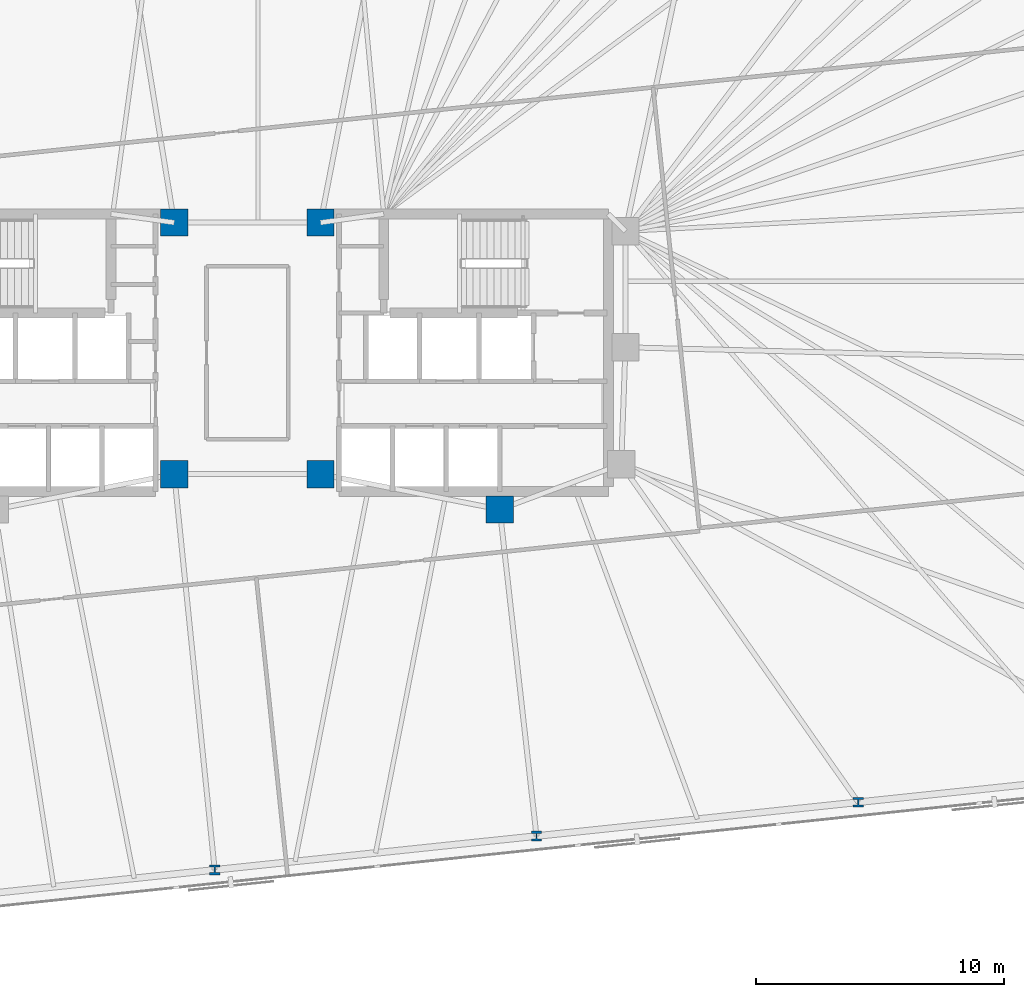
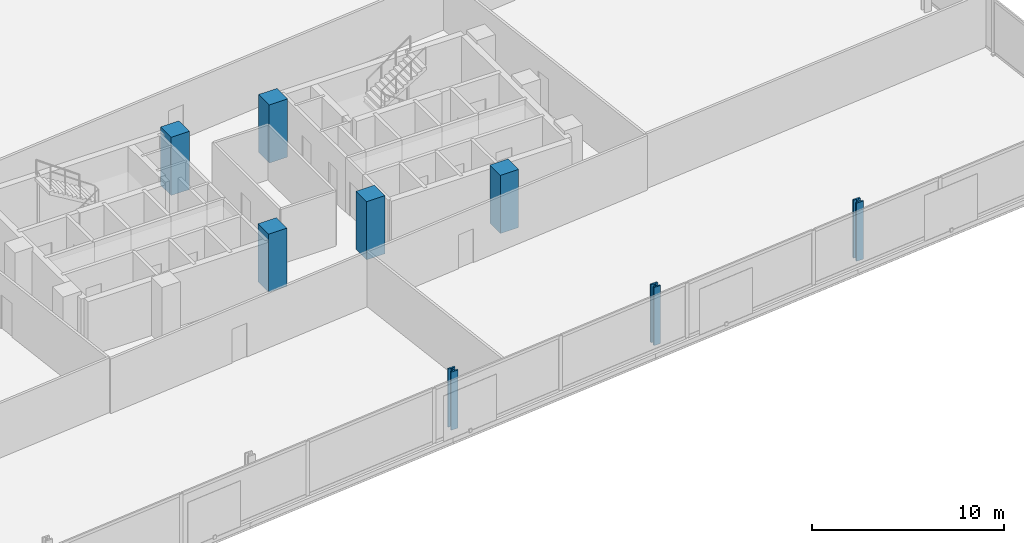
# One storey, part 3 of 17: 8 columns.
"""IFC4 building model written with IfcOpenShell, lengths in metres."""

from ifc_helpers import new_model, si_unit, direction, frame, origin, origin_2d, place, context, subcontext, project, spatial, rectangle, i_section, extrude, material, material_profile, profile_set, type_object, element, save


model = new_model("IFC4")

# Units and contexts
model_context = context("Model", 3, precision=1e-05, world=origin(), true_north=direction((0.0, 1.0)))
body_context = subcontext(model_context, "Body", "Model", "MODEL_VIEW")
ifc_project = project(units=[si_unit("LENGTHUNIT", "METRE"), si_unit("AREAUNIT", "SQUARE_METRE"), si_unit("VOLUMEUNIT", "CUBIC_METRE"), si_unit("PLANEANGLEUNIT", "RADIAN"), si_unit("MASSUNIT", "GRAM", prefix="KILO")], contexts=[model_context])

# Site, building, storey
site_placement = place(None, origin())
site = spatial("IfcSite", under=ifc_project, at=site_placement, CompositionType="ELEMENT")
building_placement = place(site_placement, origin())
building = spatial("IfcBuilding", under=site, at=building_placement, Name="Menara Jurai Vektor", CompositionType="ELEMENT")
storey_placement = place(building_placement, frame((0.0, 0.0, 87.39990234375)))
storey = spatial("IfcBuildingStorey", under=building, at=storey_placement, Name="L21", CompositionType="ELEMENT", Elevation=87.39990234375)

# Columns
ifc_material_1 = material(Name="Concrete C50/60", Category="concrete")
ifc_material_profile_1 = material_profile(ifc_material_1, rectangle(XDim=1.10009765625, YDim=1.10009765625, at=origin_2d()), Name="RC 1100x1100")
ifc_profile_set_1 = profile_set([ifc_material_profile_1], Name="Concrete C50/60")
column_type_1 = type_object("IfcColumnType", Name="STR-COL-RC1100", PredefinedType="COLUMN", material=ifc_profile_set_1)
for number, where, z_axis, x_axis, name in (
    (1, (-2.949951171875, -4.89990234375, 0.0), (0.0, 0.0, 1.0), (1.0, 0.0, 0.0), "Core Spine Column CW-SE L21"),
    (2, (-2.949951171875, 5.25, 0.0), (0.0, 0.0, 1.0), (1.0, 0.0, 0.0), "Core Spine Column CW-NE L21"),
    (3, (10.179931640625, -6.320068359375, 0.0), (0.0, 0.0, 1.0), (1.0, 0.0, 0.0), "Core Spine Column CE-SM L21"),
    (4, (2.949951171875, -4.89990234375, 0.0), (0.0, 0.0, 1.0), (1.0, 0.0, 0.0), "Core Spine Column CE-SW L21"),
    (5, (2.949951171875, 5.25, 0.0), (0.0, 0.0, 1.0), (1.0, 0.0, 0.0), "Core Spine Column CE-NW L21"),
):
    element("IfcColumn", number, at=place(storey_placement, frame(where, z_axis=z_axis, x_axis=x_axis)), inside=storey, type_object=column_type_1, Name=name, PredefinedType="COLUMN", context=body_context, shape_type="SweptSolid", body=[
        extrude(rectangle(XDim=1.10009765625, YDim=1.10009765625, at=origin_2d()), origin(), (0.0, 0.0, 1.0), 3.7001953125),
    ])
ifc_material_2 = material(Name="Steel S460", Category="steel")
ifc_material_profile_2 = material_profile(ifc_material_2, i_section(OverallWidth=0.4130859375, OverallDepth=0.39794921875, WebThickness=0.055908203125, FlangeThickness=0.089111328125, FilletRadius=0.014892578125, at=origin_2d()), Name="HD 400x744")
ifc_profile_set_2 = profile_set([ifc_material_profile_2], Name="Steel S460")
column_type_2 = type_object("IfcColumnType", Name="STR-EXO-BLK2", PredefinedType="COLUMN", material=ifc_profile_set_2)
for number, where, z_axis, x_axis, name in (
    (6, (-1.317138671875, -20.857666015625, 0.0), (0.0, 0.0, 1.0), (1.0, 0.0, 0.0), "Exoskeleton Column BLK2-S3 L21"),
    (7, (11.66259765625, -19.49365234375, 0.0), (0.0, 0.0, 1.0), (1.0, 0.0, 0.0), "Exoskeleton Column BLK2-S4 L21"),
    (8, (24.642333984375, -18.12939453125, 0.0), (0.0, 0.0, 1.0), (1.0, 0.0, 0.0), "Exoskeleton Column BLK2-S5 L21"),
):
    element("IfcColumn", number, at=place(storey_placement, frame(where, z_axis=z_axis, x_axis=x_axis)), inside=storey, type_object=column_type_2, Name=name, PredefinedType="COLUMN", context=body_context, shape_type="SweptSolid", body=[
        extrude(i_section(OverallWidth=0.4130859375, OverallDepth=0.39794921875, WebThickness=0.055908203125, FlangeThickness=0.089111328125, FilletRadius=0.014892578125, at=origin_2d()), origin(), (0.0, 0.0, 1.0), 3.7001953125),
    ])

save(model, "model.ifc")
